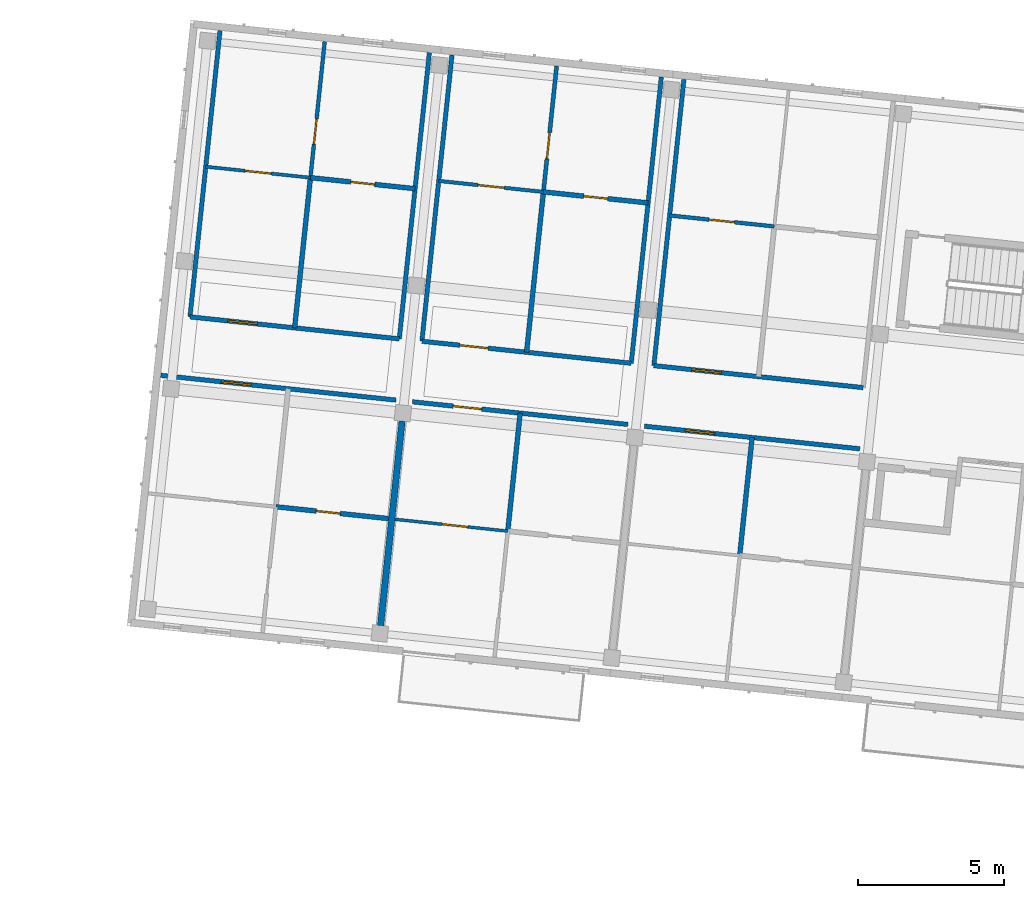
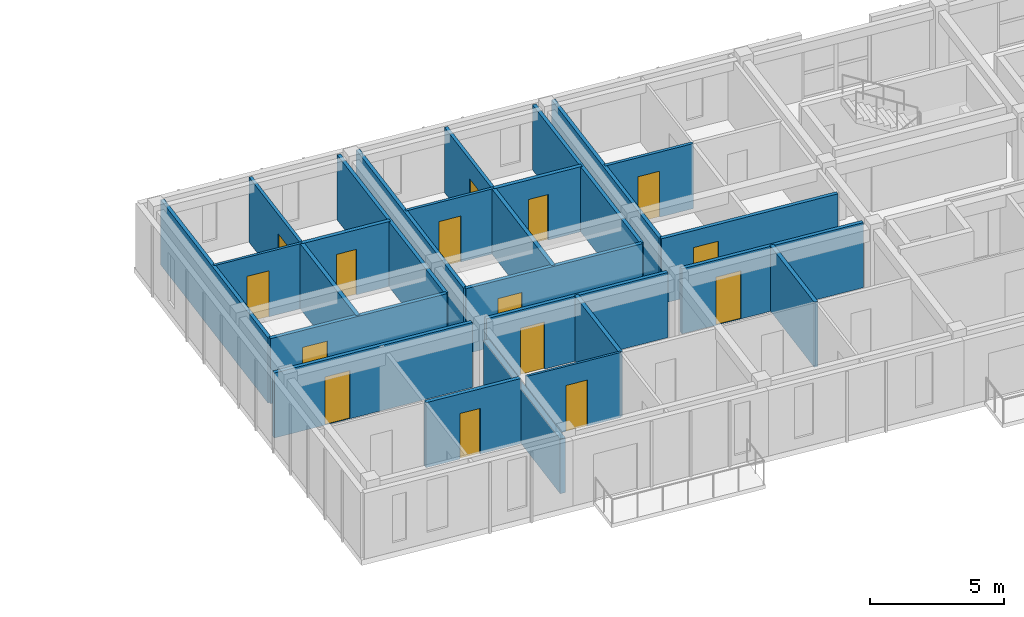
# One storey, part 33 of 68: 25 walls, 15 doors, 15 openings.
"""IFC4 building model written with IfcOpenShell, lengths in metres."""

from ifc_helpers import new_model, si_unit, direction, frame, frame_2d, origin, place, context, subcontext, project, spatial, rectangle, extrude, material, layer, layer_set, type_object, element, fill, save


model = new_model("IFC4")

# Units and contexts
model_context = context("Model", 3, precision=1e-05, world=origin(), true_north=direction((0.0, 1.0)))
body_context = subcontext(model_context, "Body", "Model", "MODEL_VIEW")
ifc_project = project(units=[si_unit("LENGTHUNIT", "METRE"), si_unit("AREAUNIT", "SQUARE_METRE"), si_unit("VOLUMEUNIT", "CUBIC_METRE"), si_unit("PLANEANGLEUNIT", "RADIAN"), si_unit("MASSUNIT", "GRAM", prefix="KILO")], contexts=[model_context])

# Site, building, storey
site_placement = place(None, origin())
site = spatial("IfcSite", under=ifc_project, at=site_placement, CompositionType="ELEMENT")
building_placement = place(site_placement, origin())
building = spatial("IfcBuilding", under=site, at=building_placement, Name="Kestramere Prow Commons", CompositionType="ELEMENT")
storey_placement = place(building_placement, frame((0.0, 0.0, 18.14990234375)))
storey = spatial("IfcBuildingStorey", under=building, at=storey_placement, Name="L05", CompositionType="ELEMENT", Elevation=18.14990234375)

# Wall, opening, door
ifc_material_1 = material(Name="Fire-Rated Calcium Silicate Wall")
ifc_layer_1 = layer(ifc_material_1, 0.155029296875)
ifc_layer_set_1 = layer_set([ifc_layer_1], Name="Fire-Rated Calcium Silicate Wall")
wall_type_1 = type_object("IfcWallType", Name="W-FIRE-150", PredefinedType="PARTITIONING", material=ifc_layer_set_1)
wall_1_placement = place(storey_placement, frame((110.445556640625, 102.8173828125, 0.0), z_axis=(0.0, 0.0, 1.0), x_axis=(0.994522594842, -0.104521808006, 0.0)))
wall_1 = element("IfcWall", 1, at=wall_1_placement, inside=storey, type_object=wall_type_1, Name="Interior Partition PW-B-L05-CS-0", PredefinedType="PARTITIONING", context=body_context, shape_type="SweptSolid", body=[
    extrude(rectangle(XDim=8.10986328125, YDim=0.155029296875, at=frame_2d((4.054931640625, 0.0))), origin(), (0.0, 0.0, 1.0), 2.97021484375),
])
opening_1_placement = place(wall_1_placement, frame((2.0849609375, 0.0, 0.0)))
opening_1 = element("IfcOpeningElement", 2, at=opening_1_placement, cuts=wall_1, Name="Opening ID-05", PredefinedType="OPENING", context=body_context, shape_type="SweptSolid", body=[
    extrude(rectangle(XDim=1.02001953125, YDim=2.199951171875, at=frame_2d((0.510009765625, 1.10009765625))), frame((0.0, 0.092529296875, 0.0), z_axis=(0.0, -1.0, 0.0), x_axis=(1.0, 0.0, 0.0)), (0.0, 0.0, 1.0), 0.18505859375),
])
ifc_material_2 = material(Name="Hardwood Fire-Rated Flat Entrance Door", Category="wood")
door_type_1 = type_object("IfcDoorType", Name="FD-ENT-02", OperationType="NOTDEFINED", PredefinedType="DOOR", material=ifc_material_2)
door_1_placement = place(opening_1_placement, origin())
door_1 = element("IfcDoor", 3, at=door_1_placement, inside=storey, type_object=door_type_1, Name="Interior Door DR-B-L05-ENT-S0", OperationType="SINGLE_SWING_RIGHT", OverallHeight=2.199951171875, OverallWidth=1.02001953125, PredefinedType="DOOR", context=body_context, shape_type="SweptSolid", body=[
    extrude(rectangle(XDim=1.02001953125, YDim=2.199951171875, at=frame_2d((0.510009765625, 1.10009765625))), frame((0.0, 0.02490234375, 0.0), z_axis=(0.0, -1.0, 0.0), x_axis=(1.0, 0.0, 0.0)), (0.0, 0.0, 1.0), 0.050048828125),
])
fill(opening_1, door_1)

wall_2_placement = place(storey_placement, frame((119.077880859375, 101.91015625, 0.0), z_axis=(0.0, 0.0, 1.0), x_axis=(0.99451912784, -0.104554791185, 0.0)))
wall_2 = element("IfcWall", 4, at=wall_2_placement, inside=storey, type_object=wall_type_1, Name="Interior Partition PW-B-L05-CS-1", PredefinedType="PARTITIONING", context=body_context, shape_type="SweptSolid", body=[
    extrude(rectangle(XDim=7.43017578125, YDim=0.155029296875, at=frame_2d((3.715087890625, 0.0))), origin(), (0.0, 0.0, 1.0), 2.97021484375),
])
opening_2_placement = place(wall_2_placement, frame((1.405029296875, 0.0, 0.0)))
opening_2 = element("IfcOpeningElement", 5, at=opening_2_placement, cuts=wall_2, Name="Opening ID-04", PredefinedType="OPENING", context=body_context, shape_type="SweptSolid", body=[
    extrude(rectangle(XDim=0.97998046875, YDim=2.14990234375, at=frame_2d((0.489990234375, 1.074951171875))), frame((0.0, 0.092529296875, 0.0), z_axis=(0.0, -1.0, 0.0), x_axis=(1.0, 0.0, 0.0)), (0.0, 0.0, 1.0), 0.18505859375),
])
door_type_2 = type_object("IfcDoorType", Name="FD-ENT-01", OperationType="NOTDEFINED", PredefinedType="DOOR", material=ifc_material_2)
door_2_placement = place(opening_2_placement, origin())
door_2 = element("IfcDoor", 6, at=door_2_placement, inside=storey, type_object=door_type_2, Name="Interior Door DR-B-L05-ENT-S1", OperationType="SINGLE_SWING_LEFT", OverallHeight=2.14990234375, OverallWidth=0.97998046875, PredefinedType="DOOR", context=body_context, shape_type="SweptSolid", body=[
    extrude(rectangle(XDim=0.97998046875, YDim=2.14990234375, at=frame_2d((0.489990234375, 1.074951171875))), frame((0.0, 0.02490234375, 0.0), z_axis=(0.0, -1.0, 0.0), x_axis=(1.0, 0.0, 0.0)), (0.0, 0.0, 1.0), 0.050048828125),
])
fill(opening_2, door_2)

wall_3_placement = place(storey_placement, frame((127.0341796875, 101.07373046875, 0.0), z_axis=(0.0, 0.0, 1.0), x_axis=(0.994522184982, -0.104525707739, 0.0)))
wall_3 = element("IfcWall", 7, at=wall_3_placement, inside=storey, type_object=wall_type_1, Name="Interior Partition PW-B-L05-CS-2", PredefinedType="PARTITIONING", context=body_context, shape_type="SweptSolid", body=[
    extrude(rectangle(XDim=7.429931640625, YDim=0.155029296875, at=frame_2d((3.71484375, 0.0))), origin(), (0.0, 0.0, 1.0), 2.97021484375),
])
opening_3_placement = place(wall_3_placement, frame((1.405029296875, 0.0, 0.0)))
opening_3 = element("IfcOpeningElement", 8, at=opening_3_placement, cuts=wall_3, Name="Opening ID-05", PredefinedType="OPENING", context=body_context, shape_type="SweptSolid", body=[
    extrude(rectangle(XDim=1.02001953125, YDim=2.199951171875, at=frame_2d((0.510009765625, 1.10009765625))), frame((0.0, 0.092529296875, 0.0), z_axis=(0.0, -1.0, 0.0), x_axis=(1.0, 0.0, 0.0)), (0.0, 0.0, 1.0), 0.18505859375),
])
door_3_placement = place(opening_3_placement, origin())
door_3 = element("IfcDoor", 9, at=door_3_placement, inside=storey, type_object=door_type_1, Name="Interior Door DR-B-L05-ENT-S2", OperationType="SINGLE_SWING_RIGHT", OverallHeight=2.199951171875, OverallWidth=1.02001953125, PredefinedType="DOOR", context=body_context, shape_type="SweptSolid", body=[
    extrude(rectangle(XDim=1.02001953125, YDim=2.199951171875, at=frame_2d((0.510009765625, 1.10009765625))), frame((0.0, 0.02490234375, 0.0), z_axis=(0.0, -1.0, 0.0), x_axis=(1.0, 0.0, 0.0)), (0.0, 0.0, 1.0), 0.050048828125),
])
fill(opening_3, door_3)

wall_4_placement = place(storey_placement, frame((111.44580078125, 104.82373046875, 0.0), z_axis=(0.0, 0.0, 1.0), x_axis=(0.994522671024, -0.104521083137, 0.0)))
wall_4 = element("IfcWall", 10, at=wall_4_placement, inside=storey, type_object=wall_type_1, Name="Interior Partition PW-B-L05-CN-0", PredefinedType="PARTITIONING", context=body_context, shape_type="SweptSolid", body=[
    extrude(rectangle(XDim=7.219970703125, YDim=0.155029296875, at=frame_2d((3.60986328125, 0.0))), origin(), (0.0, 0.0, 1.0), 2.97021484375),
])
opening_4_placement = place(wall_4_placement, frame((1.304931640625, 0.0, 0.0)))
opening_4 = element("IfcOpeningElement", 11, at=opening_4_placement, cuts=wall_4, Name="Opening ID-05", PredefinedType="OPENING", context=body_context, shape_type="SweptSolid", body=[
    extrude(rectangle(XDim=1.02001953125, YDim=2.199951171875, at=frame_2d((0.510009765625, 1.10009765625))), frame((0.0, 0.092529296875, 0.0), z_axis=(0.0, -1.0, 0.0), x_axis=(1.0, 0.0, 0.0)), (0.0, 0.0, 1.0), 0.18505859375),
])
door_4_placement = place(opening_4_placement, origin())
door_4 = element("IfcDoor", 12, at=door_4_placement, inside=storey, type_object=door_type_1, Name="Interior Door DR-B-L05-ENT-N0", OperationType="SINGLE_SWING_RIGHT", OverallHeight=2.199951171875, OverallWidth=1.02001953125, PredefinedType="DOOR", context=body_context, shape_type="SweptSolid", body=[
    extrude(rectangle(XDim=1.02001953125, YDim=2.199951171875, at=frame_2d((0.510009765625, 1.10009765625))), frame((0.0, 0.02490234375, 0.0), z_axis=(0.0, -1.0, 0.0), x_axis=(1.0, 0.0, 0.0)), (0.0, 0.0, 1.0), 0.050048828125),
])
fill(opening_4, door_4)

wall_5_placement = place(storey_placement, frame((119.40185546875, 103.987548828125, 0.0), z_axis=(0.0, 0.0, 1.0), x_axis=(0.994522671024, -0.104521083137, 0.0)))
wall_5 = element("IfcWall", 13, at=wall_5_placement, inside=storey, type_object=wall_type_1, Name="Interior Partition PW-B-L05-CN-1", PredefinedType="PARTITIONING", context=body_context, shape_type="SweptSolid", body=[
    extrude(rectangle(XDim=7.219970703125, YDim=0.155029296875, at=frame_2d((3.60986328125, 0.0))), origin(), (0.0, 0.0, 1.0), 2.97021484375),
])
opening_5_placement = place(wall_5_placement, frame((1.304931640625, 0.0, 0.0)))
opening_5 = element("IfcOpeningElement", 14, at=opening_5_placement, cuts=wall_5, Name="Opening ID-04", PredefinedType="OPENING", context=body_context, shape_type="SweptSolid", body=[
    extrude(rectangle(XDim=0.97998046875, YDim=2.14990234375, at=frame_2d((0.489990234375, 1.074951171875))), frame((0.0, 0.092529296875, 0.0), z_axis=(0.0, -1.0, 0.0), x_axis=(1.0, 0.0, 0.0)), (0.0, 0.0, 1.0), 0.18505859375),
])
door_5_placement = place(opening_5_placement, origin())
door_5 = element("IfcDoor", 15, at=door_5_placement, inside=storey, type_object=door_type_2, Name="Interior Door DR-B-L05-ENT-N1", OperationType="SINGLE_SWING_LEFT", OverallHeight=2.14990234375, OverallWidth=0.97998046875, PredefinedType="DOOR", context=body_context, shape_type="SweptSolid", body=[
    extrude(rectangle(XDim=0.97998046875, YDim=2.14990234375, at=frame_2d((0.489990234375, 1.074951171875))), frame((0.0, 0.02490234375, 0.0), z_axis=(0.0, -1.0, 0.0), x_axis=(1.0, 0.0, 0.0)), (0.0, 0.0, 1.0), 0.050048828125),
])
fill(opening_5, door_5)

wall_6_placement = place(storey_placement, frame((127.358154296875, 103.1513671875, 0.0), z_axis=(0.0, 0.0, 1.0), x_axis=(0.994522671024, -0.104521083137, 0.0)))
wall_6 = element("IfcWall", 16, at=wall_6_placement, inside=storey, type_object=wall_type_1, Name="Interior Partition PW-B-L05-CN-2", PredefinedType="PARTITIONING", context=body_context, shape_type="SweptSolid", body=[
    extrude(rectangle(XDim=7.219970703125, YDim=0.155029296875, at=frame_2d((3.60986328125, 0.0))), origin(), (0.0, 0.0, 1.0), 2.97021484375),
])
opening_6_placement = place(wall_6_placement, frame((1.304931640625, 0.0, 0.0)))
opening_6 = element("IfcOpeningElement", 17, at=opening_6_placement, cuts=wall_6, Name="Opening ID-05", PredefinedType="OPENING", context=body_context, shape_type="SweptSolid", body=[
    extrude(rectangle(XDim=1.02001953125, YDim=2.199951171875, at=frame_2d((0.510009765625, 1.10009765625))), frame((0.0, 0.092529296875, 0.0), z_axis=(0.0, -1.0, 0.0), x_axis=(1.0, 0.0, 0.0)), (0.0, 0.0, 1.0), 0.18505859375),
])
door_6_placement = place(opening_6_placement, origin())
door_6 = element("IfcDoor", 18, at=door_6_placement, inside=storey, type_object=door_type_1, Name="Interior Door DR-B-L05-ENT-N2", OperationType="SINGLE_SWING_RIGHT", OverallHeight=2.199951171875, OverallWidth=1.02001953125, PredefinedType="DOOR", context=body_context, shape_type="SweptSolid", body=[
    extrude(rectangle(XDim=1.02001953125, YDim=2.199951171875, at=frame_2d((0.510009765625, 1.10009765625))), frame((0.0, 0.02490234375, 0.0), z_axis=(0.0, -1.0, 0.0), x_axis=(1.0, 0.0, 0.0)), (0.0, 0.0, 1.0), 0.050048828125),
])
fill(opening_6, door_6)

ifc_material_3 = material(Name="Gypsum Acoustic Drywall")
ifc_layer_2 = layer(ifc_material_3, 0.10009765625)
ifc_layer_set_2 = layer_set([ifc_layer_2], Name="Gypsum Acoustic Drywall")
wall_type_2 = type_object("IfcWallType", Name="W-PART-100", PredefinedType="PARTITIONING", material=ifc_layer_set_2)
wall_7_placement = place(storey_placement, frame((118.4833984375, 97.880126953125, 0.0), z_axis=(0.0, 0.0, 1.0), x_axis=(0.994524375082, -0.104504867671, 0.0)))
wall_7 = element("IfcWall", 19, at=wall_7_placement, inside=storey, type_object=wall_type_2, Name="Interior Partition PW-B-L05-MIDS1-1", PredefinedType="PARTITIONING", context=body_context, shape_type="SweptSolid", body=[
    extrude(rectangle(XDim=3.885009765625, YDim=0.10009765625, at=frame_2d((1.9423828125, 0.0))), origin(), (0.0, 0.0, 1.0), 2.97021484375),
])
opening_7_placement = place(wall_7_placement, frame((1.625, 0.0, 0.0)))
opening_7 = element("IfcOpeningElement", 20, at=opening_7_placement, cuts=wall_7, Name="Opening ID-10", PredefinedType="OPENING", context=body_context, shape_type="SweptSolid", body=[
    extrude(rectangle(XDim=0.8798828125, YDim=2.10009765625, at=frame_2d((0.43994140625, 1.050048828125))), frame((0.0, 0.06494140625, 0.0), z_axis=(0.0, -1.0, 0.0), x_axis=(1.0, 0.0, 0.0)), (0.0, 0.0, 1.0), 0.130126953125),
])
ifc_material_4 = material(Name="Engineered Timber Bedroom Door", Category="wood")
door_type_3 = type_object("IfcDoorType", Name="D-RM-03", OperationType="NOTDEFINED", PredefinedType="DOOR", material=ifc_material_4)
door_7_placement = place(opening_7_placement, origin())
door_7 = element("IfcDoor", 21, at=door_7_placement, inside=storey, type_object=door_type_3, Name="Interior Door DR-B-L05-KL-S1", OperationType="SINGLE_SWING_RIGHT", OverallHeight=2.10009765625, OverallWidth=0.8798828125, PredefinedType="DOOR", context=body_context, shape_type="SweptSolid", body=[
    extrude(rectangle(XDim=0.8798828125, YDim=2.10009765625, at=frame_2d((0.43994140625, 1.050048828125))), frame((0.0, 0.02490234375, 0.0), z_axis=(0.0, -1.0, 0.0), x_axis=(1.0, 0.0, 0.0)), (0.0, 0.0, 1.0), 0.050048828125),
])
fill(opening_7, door_7)

ifc_layer_3 = layer(ifc_material_3, 0.110107421875)
ifc_layer_set_3 = layer_set([ifc_layer_3], Name="Gypsum Acoustic Drywall")
wall_type_3 = type_object("IfcWallType", Name="W-PART-110", PredefinedType="PARTITIONING", material=ifc_layer_set_3)
wall_8_placement = place(storey_placement, frame((111.987060546875, 109.975341796875, 0.0), z_axis=(0.0, 0.0, 1.0), x_axis=(0.994526554618, -0.104484123955, 0.0)))
wall_8 = element("IfcWall", 22, at=wall_8_placement, inside=storey, type_object=wall_type_3, Name="Interior Partition PW-B-L05-MIDN1-0", PredefinedType="PARTITIONING", context=body_context, shape_type="SweptSolid", body=[
    extrude(rectangle(XDim=3.610107421875, YDim=0.110107421875, at=frame_2d((1.80517578125, 0.0))), origin(), (0.0, 0.0, 1.0), 2.97021484375),
])
opening_8_placement = place(wall_8_placement, frame((1.35498046875, 0.0, 0.0)))
opening_8 = element("IfcOpeningElement", 23, at=opening_8_placement, cuts=wall_8, Name="Opening ID-08", PredefinedType="OPENING", context=body_context, shape_type="SweptSolid", body=[
    extrude(rectangle(XDim=0.89990234375, YDim=2.10009765625, at=frame_2d((0.449951171875, 1.050048828125))), frame((0.0, 0.070068359375, 0.0), z_axis=(0.0, -1.0, 0.0), x_axis=(1.0, 0.0, 0.0)), (0.0, 0.0, 1.0), 0.14013671875),
])
ifc_material_5 = material(Name="Engineered Timber Flush Door", Category="wood")
door_type_4 = type_object("IfcDoorType", Name="D-RM-01", OperationType="NOTDEFINED", PredefinedType="DOOR", material=ifc_material_5)
door_8_placement = place(opening_8_placement, origin())
door_8 = element("IfcDoor", 24, at=door_8_placement, inside=storey, type_object=door_type_4, Name="Interior Door DR-B-L05-KL-N0", OperationType="SINGLE_SWING_LEFT", OverallHeight=2.10009765625, OverallWidth=0.89990234375, PredefinedType="DOOR", context=body_context, shape_type="SweptSolid", body=[
    extrude(rectangle(XDim=0.89990234375, YDim=2.10009765625, at=frame_2d((0.449951171875, 1.050048828125))), frame((0.0, 0.02490234375, 0.0), z_axis=(0.0, -1.0, 0.0), x_axis=(1.0, 0.0, 0.0)), (0.0, 0.0, 1.0), 0.050048828125),
])
fill(opening_8, door_8)

ifc_material_6 = material(Name="Lightweight Blockwork and Plaster", Category="masonry")
ifc_layer_4 = layer(ifc_material_6, 0.1201171875)
ifc_layer_set_4 = layer_set([ifc_layer_4], Name="Lightweight Blockwork and Plaster")
wall_type_4 = type_object("IfcWallType", Name="W-PART-120", PredefinedType="PARTITIONING", material=ifc_layer_set_4)
wall_9_placement = place(storey_placement, frame((119.97998046875, 109.4873046875, 0.0), z_axis=(0.0, 0.0, 1.0), x_axis=(0.994518785821, -0.104558044398, 0.0)))
wall_9 = element("IfcWall", 25, at=wall_9_placement, inside=storey, type_object=wall_type_4, Name="Interior Partition PW-B-L05-MIDN1-1", PredefinedType="PARTITIONING", context=body_context, shape_type="SweptSolid", body=[
    extrude(rectangle(XDim=3.60986328125, YDim=0.1201171875, at=frame_2d((1.804931640625, 0.0))), origin(), (0.0, 0.0, 1.0), 2.97021484375),
])
opening_9_placement = place(wall_9_placement, frame((1.35498046875, 0.0, 0.0)))
opening_9 = element("IfcOpeningElement", 26, at=opening_9_placement, cuts=wall_9, Name="Opening ID-08", PredefinedType="OPENING", context=body_context, shape_type="SweptSolid", body=[
    extrude(rectangle(XDim=0.89990234375, YDim=2.10009765625, at=frame_2d((0.449951171875, 1.050048828125))), frame((0.0, 0.074951171875, 0.0), z_axis=(0.0, -1.0, 0.0), x_axis=(1.0, 0.0, 0.0)), (0.0, 0.0, 1.0), 0.150146484375),
])
door_9_placement = place(opening_9_placement, origin())
door_9 = element("IfcDoor", 27, at=door_9_placement, inside=storey, type_object=door_type_4, Name="Interior Door DR-B-L05-KL-N1", OperationType="SINGLE_SWING_LEFT", OverallHeight=2.10009765625, OverallWidth=0.89990234375, PredefinedType="DOOR", context=body_context, shape_type="SweptSolid", body=[
    extrude(rectangle(XDim=0.89990234375, YDim=2.10009765625, at=frame_2d((0.449951171875, 1.050048828125))), frame((0.0, 0.02490234375, 0.0), z_axis=(0.0, -1.0, 0.0), x_axis=(1.0, 0.0, 0.0)), (0.0, 0.0, 1.0), 0.050048828125),
])
fill(opening_9, door_9)

ifc_layer_5 = layer(ifc_material_6, 0.1298828125)
ifc_layer_set_5 = layer_set([ifc_layer_5], Name="Lightweight Blockwork and Plaster")
wall_type_5 = type_object("IfcWallType", Name="W-PART-130", PredefinedType="PARTITIONING", material=ifc_layer_set_5)
wall_10_placement = place(storey_placement, frame((115.577392578125, 109.59814453125, 0.0), z_axis=(0.0, 0.0, 1.0), x_axis=(0.104527618124, 0.994521984196, 0.0)))
wall_10 = element("IfcWall", 28, at=wall_10_placement, inside=storey, type_object=wall_type_5, Name="Interior Partition PW-B-L05-LB-N0", PredefinedType="PARTITIONING", context=body_context, shape_type="SweptSolid", body=[
    extrude(rectangle(XDim=4.68994140625, YDim=0.1298828125, at=frame_2d((2.344970703125, 0.0))), origin(), (0.0, 0.0, 1.0), 2.97021484375),
])
opening_10_placement = place(wall_10_placement, frame((1.14990234375, 0.0, 0.0)))
opening_10 = element("IfcOpeningElement", 29, at=opening_10_placement, cuts=wall_10, Name="Opening ID-10", PredefinedType="OPENING", context=body_context, shape_type="SweptSolid", body=[
    extrude(rectangle(XDim=0.8798828125, YDim=2.10009765625, at=frame_2d((0.43994140625, 1.050048828125))), frame((0.0, 0.079833984375, 0.0), z_axis=(0.0, -1.0, 0.0), x_axis=(1.0, 0.0, 0.0)), (0.0, 0.0, 1.0), 0.159912109375),
])
door_10_placement = place(opening_10_placement, origin())
door_10 = element("IfcDoor", 30, at=door_10_placement, inside=storey, type_object=door_type_3, Name="Interior Door DR-B-L05-BED-N0", OperationType="SINGLE_SWING_LEFT", OverallHeight=2.10009765625, OverallWidth=0.8798828125, PredefinedType="DOOR", context=body_context, shape_type="SweptSolid", body=[
    extrude(rectangle(XDim=0.8798828125, YDim=2.10009765625, at=frame_2d((0.43994140625, 1.050048828125))), frame((0.0, 0.02490234375, 0.0), z_axis=(0.0, -1.0, 0.0), x_axis=(1.0, 0.0, 0.0)), (0.0, 0.0, 1.0), 0.050048828125),
])
fill(opening_10, door_10)

wall_11_placement = place(storey_placement, frame((127.8994140625, 108.302978515625, 0.0), z_axis=(0.0, 0.0, 1.0), x_axis=(0.994519525119, -0.104551012229, 0.0)))
wall_11 = element("IfcWall", 31, at=wall_11_placement, inside=storey, type_object=wall_type_5, Name="Interior Partition PW-B-L05-MIDN1-2", PredefinedType="PARTITIONING", context=body_context, shape_type="SweptSolid", body=[
    extrude(rectangle(XDim=3.610107421875, YDim=0.1298828125, at=frame_2d((1.80517578125, 0.0))), origin(), (0.0, 0.0, 1.0), 2.97021484375),
])
opening_11_placement = place(wall_11_placement, frame((1.35498046875, 0.0, 0.0)))
opening_11 = element("IfcOpeningElement", 32, at=opening_11_placement, cuts=wall_11, Name="Opening ID-10", PredefinedType="OPENING", context=body_context, shape_type="SweptSolid", body=[
    extrude(rectangle(XDim=0.8798828125, YDim=2.10009765625, at=frame_2d((0.43994140625, 1.050048828125))), frame((0.0, 0.079833984375, 0.0), z_axis=(0.0, -1.0, 0.0), x_axis=(1.0, 0.0, 0.0)), (0.0, 0.0, 1.0), 0.159912109375),
])
door_11_placement = place(opening_11_placement, origin())
door_11 = element("IfcDoor", 33, at=door_11_placement, inside=storey, type_object=door_type_3, Name="Interior Door DR-B-L05-KL-N2", OperationType="SINGLE_SWING_LEFT", OverallHeight=2.10009765625, OverallWidth=0.8798828125, PredefinedType="DOOR", context=body_context, shape_type="SweptSolid", body=[
    extrude(rectangle(XDim=0.8798828125, YDim=2.10009765625, at=frame_2d((0.43994140625, 1.050048828125))), frame((0.0, 0.02490234375, 0.0), z_axis=(0.0, -1.0, 0.0), x_axis=(1.0, 0.0, 0.0)), (0.0, 0.0, 1.0), 0.050048828125),
])
fill(opening_11, door_11)

ifc_material_7 = material(Name="Masonry Compartment Wall", Category="masonry")
ifc_layer_6 = layer(ifc_material_7, 0.139892578125)
ifc_layer_set_6 = layer_set([ifc_layer_6], Name="Masonry Compartment Wall")
wall_type_6 = type_object("IfcWallType", Name="W-PART-140", PredefinedType="PARTITIONING", material=ifc_layer_set_6)
wall_12_placement = place(storey_placement, frame((123.570068359375, 109.10986328125, 0.0), z_axis=(0.0, 0.0, 1.0), x_axis=(0.104514950243, 0.994523315552, 0.0)))
wall_12 = element("IfcWall", 34, at=wall_12_placement, inside=storey, type_object=wall_type_6, Name="Interior Partition PW-B-L05-LB-N1", PredefinedType="PARTITIONING", context=body_context, shape_type="SweptSolid", body=[
    extrude(rectangle(XDim=4.340087890625, YDim=0.139892578125, at=frame_2d((2.169921875, 0.0))), origin(), (0.0, 0.0, 1.0), 2.97021484375),
])
opening_12_placement = place(wall_12_placement, frame((1.14990234375, 0.0, 0.0)))
opening_12 = element("IfcOpeningElement", 35, at=opening_12_placement, cuts=wall_12, Name="Opening ID-08", PredefinedType="OPENING", context=body_context, shape_type="SweptSolid", body=[
    extrude(rectangle(XDim=0.89990234375, YDim=2.10009765625, at=frame_2d((0.449951171875, 1.050048828125))), frame((0.0, 0.0849609375, 0.0), z_axis=(0.0, -1.0, 0.0), x_axis=(1.0, 0.0, 0.0)), (0.0, 0.0, 1.0), 0.169921875),
])
door_12_placement = place(opening_12_placement, origin())
door_12 = element("IfcDoor", 36, at=door_12_placement, inside=storey, type_object=door_type_4, Name="Interior Door DR-B-L05-BED-N1", OperationType="SINGLE_SWING_LEFT", OverallHeight=2.10009765625, OverallWidth=0.89990234375, PredefinedType="DOOR", context=body_context, shape_type="SweptSolid", body=[
    extrude(rectangle(XDim=0.89990234375, YDim=2.10009765625, at=frame_2d((0.449951171875, 1.050048828125))), frame((0.0, 0.02490234375, 0.0), z_axis=(0.0, -1.0, 0.0), x_axis=(1.0, 0.0, 0.0)), (0.0, 0.0, 1.0), 0.050048828125),
])
fill(opening_12, door_12)

# Walls
ifc_layer_7 = layer(ifc_material_7, 0.14990234375)
ifc_layer_set_7 = layer_set([ifc_layer_7], Name="Masonry Compartment Wall")
wall_type_7 = type_object("IfcWallType", Name="W-PART-150", PredefinedType="PARTITIONING", material=ifc_layer_set_7)
for number, where, z_axis, x_axis, name in (
    (37, (111.44580078125, 104.82373046875, 0.0), (0.0, 0.0, 1.0), (0.104508379977, 0.994524006002, 0.0), "Interior Partition PW-B-L05-NWL-0"),
    (38, (118.626220703125, 104.069091796875, 0.0), (0.0, 0.0, 1.0), (0.104508379977, 0.994524006002, 0.0), "Interior Partition PW-B-L05-NWR-0"),
    (39, (119.40185546875, 103.987548828125, 0.0), (0.0, 0.0, 1.0), (0.10453284543, 0.994521434775, 0.0), "Interior Partition PW-B-L05-NWL-1"),
    (40, (126.582275390625, 103.23291015625, 0.0), (0.0, 0.0, 1.0), (0.10453284543, 0.994521434775, 0.0), "Interior Partition PW-B-L05-NWR-1"),
    (41, (127.358154296875, 103.1513671875, 0.0), (0.0, 0.0, 1.0), (0.104508379977, 0.994524006002, 0.0), "Interior Partition PW-B-L05-NWL-2"),
):
    element("IfcWall", number, at=place(storey_placement, frame(where, z_axis=z_axis, x_axis=x_axis)), inside=storey, type_object=wall_type_7, Name=name, PredefinedType="PARTITIONING", context=body_context, shape_type="SweptSolid", body=[
        extrude(rectangle(XDim=9.869873046875, YDim=0.14990234375, at=frame_2d((4.93505859375, 0.0))), origin(), (0.0, 0.0, 1.0), 2.97021484375),
    ])

# Wall, opening, door
ifc_material_8 = material(Name="Waterproof Sanitary Masonry Wall", Category="masonry")
ifc_layer_8 = layer(ifc_material_8, 0.1650390625)
ifc_layer_set_8 = layer_set([ifc_layer_8], Name="Waterproof Sanitary Masonry Wall")
wall_type_8 = type_object("IfcWallType", Name="W-PLUMB-150", PredefinedType="PLUMBINGWALL", material=ifc_layer_set_8)
wall_13_placement = place(storey_placement, frame((114.390869140625, 98.310302734375, 0.0), z_axis=(0.0, 0.0, 1.0), x_axis=(0.994517841934, -0.104567021925, 0.0)))
wall_13 = element("IfcWall", 42, at=wall_13_placement, inside=storey, type_object=wall_type_8, Name="Interior Partition PW-B-L05-MIDS2-0", PredefinedType="PLUMBINGWALL", context=body_context, shape_type="SweptSolid", body=[
    extrude(rectangle(XDim=3.885009765625, YDim=0.1650390625, at=frame_2d((1.9423828125, 0.0))), origin(), (0.0, 0.0, 1.0), 2.97021484375),
])
opening_13_placement = place(wall_13_placement, frame((1.39990234375, 0.0, 0.0)))
opening_13 = element("IfcOpeningElement", 43, at=opening_13_placement, cuts=wall_13, Name="Opening ID-11", PredefinedType="OPENING", context=body_context, shape_type="SweptSolid", body=[
    extrude(rectangle(XDim=0.820068359375, YDim=2.080078125, at=frame_2d((0.41015625, 1.0400390625))), frame((0.0, 0.097412109375, 0.0), z_axis=(0.0, -1.0, 0.0), x_axis=(1.0, 0.0, 0.0)), (0.0, 0.0, 1.0), 0.195068359375),
])
ifc_material_9 = material(Name="Moisture-Resistant Timber Bathroom Door", Category="wood")
door_type_5 = type_object("IfcDoorType", Name="D-BT-01", OperationType="NOTDEFINED", PredefinedType="DOOR", material=ifc_material_9)
door_13_placement = place(opening_13_placement, origin())
door_13 = element("IfcDoor", 44, at=door_13_placement, inside=storey, type_object=door_type_5, Name="Interior Door DR-B-L05-BTH-S0", OperationType="SINGLE_SWING_LEFT", OverallHeight=2.080078125, OverallWidth=0.820068359375, PredefinedType="DOOR", context=body_context, shape_type="SweptSolid", body=[
    extrude(rectangle(XDim=0.820068359375, YDim=2.080078125, at=frame_2d((0.41015625, 1.0400390625))), frame((0.0, 0.02490234375, 0.0), z_axis=(0.0, -1.0, 0.0), x_axis=(1.0, 0.0, 0.0)), (0.0, 0.0, 1.0), 0.050048828125),
])
fill(opening_13, door_13)

# Walls
wall_14_placement = place(storey_placement, frame((122.34716796875, 97.47412109375, 0.0), z_axis=(0.0, 0.0, 1.0), x_axis=(0.104497425874, 0.99452515704, 0.0)))
element("IfcWall", 45, at=wall_14_placement, inside=storey, type_object=wall_type_8, Name="Interior Partition PW-B-L05-KB-S1", PredefinedType="PLUMBINGWALL", context=body_context, shape_type="SweptSolid", body=[
    extrude(rectangle(XDim=4.06982421875, YDim=0.1650390625, at=frame_2d((2.034912109375, 0.0))), origin(), (0.0, 0.0, 1.0), 2.97021484375),
])
wall_15_placement = place(storey_placement, frame((130.30322265625, 96.6376953125, 0.0), z_axis=(0.0, 0.0, 1.0), x_axis=(0.104550520052, 0.99451957686, 0.0)))
element("IfcWall", 46, at=wall_15_placement, inside=storey, type_object=wall_type_8, Name="Interior Partition PW-B-L05-KB-S2", PredefinedType="PLUMBINGWALL", context=body_context, shape_type="SweptSolid", body=[
    extrude(rectangle(XDim=4.070068359375, YDim=0.1650390625, at=frame_2d((2.03515625, 0.0))), origin(), (0.0, 0.0, 1.0), 2.97021484375),
])

# Wall, opening, door
wall_16_placement = place(storey_placement, frame((115.577392578125, 109.59814453125, 0.0), z_axis=(0.0, 0.0, 1.0), x_axis=(0.994518785821, -0.104558044398, 0.0)))
wall_16 = element("IfcWall", 47, at=wall_16_placement, inside=storey, type_object=wall_type_8, Name="Interior Partition PW-B-L05-MIDN2-0", PredefinedType="PLUMBINGWALL", context=body_context, shape_type="SweptSolid", body=[
    extrude(rectangle(XDim=3.60986328125, YDim=0.1650390625, at=frame_2d((1.804931640625, 0.0))), origin(), (0.0, 0.0, 1.0), 2.97021484375),
])
opening_14_placement = place(wall_16_placement, frame((1.39501953125, 0.0, 0.0)))
opening_14 = element("IfcOpeningElement", 48, at=opening_14_placement, cuts=wall_16, Name="Opening ID-11", PredefinedType="OPENING", context=body_context, shape_type="SweptSolid", body=[
    extrude(rectangle(XDim=0.820068359375, YDim=2.080078125, at=frame_2d((0.41015625, 1.0400390625))), frame((0.0, 0.097412109375, 0.0), z_axis=(0.0, -1.0, 0.0), x_axis=(1.0, 0.0, 0.0)), (0.0, 0.0, 1.0), 0.195068359375),
])
door_14_placement = place(opening_14_placement, origin())
door_14 = element("IfcDoor", 49, at=door_14_placement, inside=storey, type_object=door_type_5, Name="Interior Door DR-B-L05-BTH-N0", OperationType="SINGLE_SWING_RIGHT", OverallHeight=2.080078125, OverallWidth=0.820068359375, PredefinedType="DOOR", context=body_context, shape_type="SweptSolid", body=[
    extrude(rectangle(XDim=0.820068359375, YDim=2.080078125, at=frame_2d((0.41015625, 1.0400390625))), frame((0.0, 0.02490234375, 0.0), z_axis=(0.0, -1.0, 0.0), x_axis=(1.0, 0.0, 0.0)), (0.0, 0.0, 1.0), 0.050048828125),
])
fill(opening_14, door_14)

# Wall
wall_17_placement = place(storey_placement, frame((115.035888671875, 104.446533203125, 0.0), z_axis=(0.0, 0.0, 1.0), x_axis=(0.104537578263, 0.994520937301, 0.0)))
element("IfcWall", 50, at=wall_17_placement, inside=storey, type_object=wall_type_8, Name="Interior Partition PW-B-L05-KB-N0", PredefinedType="PLUMBINGWALL", context=body_context, shape_type="SweptSolid", body=[
    extrude(rectangle(XDim=5.179931640625, YDim=0.1650390625, at=frame_2d((2.58984375, 0.0))), origin(), (0.0, 0.0, 1.0), 2.97021484375),
])

# Wall, opening, door
wall_18_placement = place(storey_placement, frame((123.570068359375, 109.10986328125, 0.0), z_axis=(0.0, 0.0, 1.0), x_axis=(0.994526554618, -0.104484123955, 0.0)))
wall_18 = element("IfcWall", 51, at=wall_18_placement, inside=storey, type_object=wall_type_8, Name="Interior Partition PW-B-L05-MIDN2-1", PredefinedType="PLUMBINGWALL", context=body_context, shape_type="SweptSolid", body=[
    extrude(rectangle(XDim=3.610107421875, YDim=0.1650390625, at=frame_2d((1.80517578125, 0.0))), origin(), (0.0, 0.0, 1.0), 2.97021484375),
])
opening_15_placement = place(wall_18_placement, frame((1.39501953125, 0.0, 0.0)))
opening_15 = element("IfcOpeningElement", 52, at=opening_15_placement, cuts=wall_18, Name="Opening ID-11", PredefinedType="OPENING", context=body_context, shape_type="SweptSolid", body=[
    extrude(rectangle(XDim=0.820068359375, YDim=2.080078125, at=frame_2d((0.41015625, 1.0400390625))), frame((0.0, 0.097412109375, 0.0), z_axis=(0.0, -1.0, 0.0), x_axis=(1.0, 0.0, 0.0)), (0.0, 0.0, 1.0), 0.195068359375),
])
door_15_placement = place(opening_15_placement, origin())
door_15 = element("IfcDoor", 53, at=door_15_placement, inside=storey, type_object=door_type_5, Name="Interior Door DR-B-L05-BTH-N1", OperationType="SINGLE_SWING_RIGHT", OverallHeight=2.080078125, OverallWidth=0.820068359375, PredefinedType="DOOR", context=body_context, shape_type="SweptSolid", body=[
    extrude(rectangle(XDim=0.820068359375, YDim=2.080078125, at=frame_2d((0.41015625, 1.0400390625))), frame((0.0, 0.02490234375, 0.0), z_axis=(0.0, -1.0, 0.0), x_axis=(1.0, 0.0, 0.0)), (0.0, 0.0, 1.0), 0.050048828125),
])
fill(opening_15, door_15)

# Walls
wall_19_placement = place(storey_placement, frame((122.9921875, 103.610107421875, 0.0), z_axis=(0.0, 0.0, 1.0), x_axis=(0.104498634796, 0.994525030015, 0.0)))
element("IfcWall", 54, at=wall_19_placement, inside=storey, type_object=wall_type_8, Name="Interior Partition PW-B-L05-KB-N1", PredefinedType="PLUMBINGWALL", context=body_context, shape_type="SweptSolid", body=[
    extrude(rectangle(XDim=5.530029296875, YDim=0.1650390625, at=frame_2d((2.76513671875, 0.0))), origin(), (0.0, 0.0, 1.0), 2.97021484375),
])
ifc_material_10 = material(Name="Precast concrete C40/50", Category="concrete")
ifc_layer_9 = layer(ifc_material_10, 0.219970703125)
ifc_layer_set_9 = layer_set([ifc_layer_9], Name="Precast concrete C40/50")
wall_type_9 = type_object("IfcWallType", Name="W-XWALL-220", PredefinedType="SHEAR", material=ifc_layer_set_9)
wall_20_placement = place(storey_placement, frame((117.98486328125, 94.2373046875, 0.0), z_axis=(0.0, 0.0, 1.0), x_axis=(0.104549582151, 0.994519675458, 0.0)))
element("IfcWall", 55, at=wall_20_placement, inside=storey, type_object=wall_type_9, Name="Block B L05 Precast Cross-Wall 1", PredefinedType="SHEAR", context=body_context, shape_type="SweptSolid", body=[
    extrude(rectangle(XDim=7.0498046875, YDim=0.219970703125, at=frame_2d((3.52490234375, 0.0))), origin(), (0.0, 0.0, 1.0), 2.5),
])

save(model, "model.ifc")
